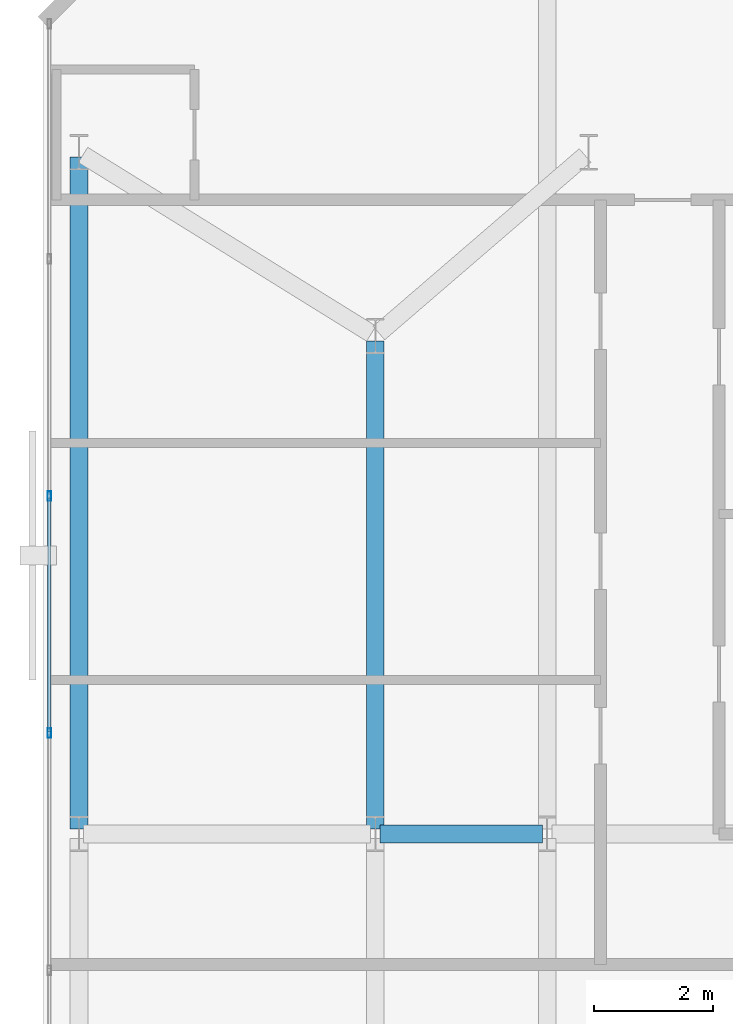
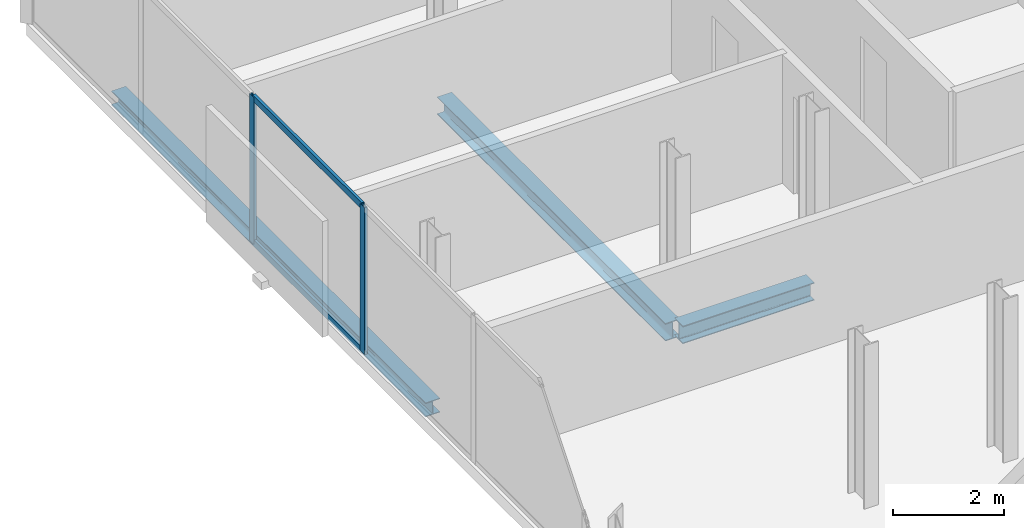
# One storey, part 11 of 32: 4 members, 3 beams, 1 element without a shape of its own.
"""IFC4 building model written with IfcOpenShell, lengths in metres."""

from ifc_helpers import new_model, si_unit, direction, frame, origin, origin_2d, place, context, subcontext, project, spatial, hollow_rectangle, i_section, extrude, material, layer, layer_set, material_profile, profile_set, type_object, element, aggregate, save


model = new_model("IFC4")

# Units and contexts
model_context = context("Model", 3, precision=1e-05, world=origin(), true_north=direction((0.0, 1.0)))
body_context = subcontext(model_context, "Body", "Model", "MODEL_VIEW")
ifc_project = project(units=[si_unit("LENGTHUNIT", "METRE"), si_unit("AREAUNIT", "SQUARE_METRE"), si_unit("VOLUMEUNIT", "CUBIC_METRE"), si_unit("PLANEANGLEUNIT", "RADIAN"), si_unit("MASSUNIT", "GRAM", prefix="KILO")], contexts=[model_context])

# Site, building, storey
site_placement = place(None, origin())
site = spatial("IfcSite", under=ifc_project, at=site_placement, CompositionType="ELEMENT")
building_placement = place(site_placement, origin())
building = spatial("IfcBuilding", under=site, at=building_placement, Name="Catumbela Crestline Tower", CompositionType="ELEMENT")
storey_placement = place(building_placement, frame((0.0, 0.0, 140.4)))
storey = spatial("IfcBuildingStorey", under=building, at=storey_placement, Name="L36", CompositionType="ELEMENT", Elevation=140.4)

# Beams
ifc_material_1 = material(Name="Structural steel S355J2", Category="steel")
ifc_material_profile_1 = material_profile(ifc_material_1, i_section(OverallWidth=0.3, OverallDepth=0.39, WebThickness=0.011, FlangeThickness=0.019, FilletRadius=0.027, at=origin_2d()), Name="HEA 400")
ifc_profile_set_1 = profile_set([ifc_material_profile_1], Name="Structural steel S355J2")
beam_type_1 = type_object("IfcBeamType", Name="BG-HEA400", PredefinedType="BEAM", material=ifc_profile_set_1)
beam_1_placement = place(storey_placement, frame((5.68, 30.8, -0.455), z_axis=(1.0, 0.0, 0.0), x_axis=(0.0, 1.0, 0.0)))
element("IfcBeam", 1, at=beam_1_placement, inside=storey, type_object=beam_type_1, Name="L36 Beam BM-L36-M08", PredefinedType="BEAM", context=body_context, shape_type="SweptSolid", body=[
    extrude(i_section(OverallWidth=0.3, OverallDepth=0.39, WebThickness=0.011, FlangeThickness=0.019, FilletRadius=0.027, at=origin_2d()), origin(), (0.0, 0.0, 1.0), 2.74),
])
beam_2_placement = place(storey_placement, frame((5.6, 30.88, -0.455), z_axis=(0.0, 1.0, 0.0), x_axis=(-1.0, 0.0, 0.0)))
element("IfcBeam", 2, at=beam_2_placement, inside=storey, type_object=beam_type_1, Name="L36 Beam BM-L36-SN25", PredefinedType="BEAM", context=body_context, shape_type="SweptSolid", body=[
    extrude(i_section(OverallWidth=0.3, OverallDepth=0.39, WebThickness=0.011, FlangeThickness=0.019, FilletRadius=0.027, at=origin_2d()), origin(), (0.0, 0.0, 1.0), 8.24),
])

# Curtain wall, members
ifc_material_2 = material(Name="Aluminium alloy AW-6060-T66", Category="aluminium")
ifc_layer = layer(ifc_material_2, 0.18, Name="Aluminium alloy AW-6060-T66")
ifc_layer_set = layer_set([ifc_layer], Name="Aluminium alloy AW-6060-T66")
curtain_wall_type = type_object("IfcCurtainWallType", Name="CWU-Z2", PredefinedType="USERDEFINED", material=ifc_layer_set)
curtain_wall_placement = place(storey_placement, origin())
curtain_wall = element("IfcCurtainWall", 3, at=curtain_wall_placement, inside=storey, type_object=curtain_wall_type, Name="L36 Unitised Curtain Wall CW-L36-E9S1", ObjectType="UNITISED", PredefinedType="USERDEFINED")
ifc_material_profile_2 = material_profile(ifc_material_2, hollow_rectangle(XDim=0.06, YDim=0.16, WallThickness=0.004, at=origin_2d()), Name="ALU 160x60x4")
ifc_profile_set_2 = profile_set([ifc_material_profile_2], Name="Aluminium alloy AW-6060-T66")
member_type_1 = type_object("IfcMemberType", Name="MUL-160X60", PredefinedType="MULLION", material=ifc_profile_set_2)
member_1_placement = place(storey_placement, frame((0.1, 36.5, 0.0), z_axis=(0.0, 0.0, 1.0), x_axis=(1.0, 0.0, 0.0)))
member_1 = element("IfcMember", 4, at=member_1_placement, type_object=member_type_1, Name="CWU-Z2 mullion 3", PredefinedType="MULLION", context=body_context, shape_type="SweptSolid", body=[
    extrude(hollow_rectangle(XDim=0.06, YDim=0.16, WallThickness=0.004, at=origin_2d()), origin(), (0.0, 0.0, 1.0), 3.24),
])
member_2_placement = place(storey_placement, frame((0.1, 32.5, 0.0), z_axis=(0.0, 0.0, 1.0), x_axis=(1.0, 0.0, 0.0)))
member_2 = element("IfcMember", 5, at=member_2_placement, type_object=member_type_1, Name="CWU-Z2 mullion 4", PredefinedType="MULLION", context=body_context, shape_type="SweptSolid", body=[
    extrude(hollow_rectangle(XDim=0.06, YDim=0.16, WallThickness=0.004, at=origin_2d()), origin(), (0.0, 0.0, 1.0), 3.24),
])

# Beam
ifc_material_profile_3 = material_profile(ifc_material_1, i_section(OverallWidth=0.3, OverallDepth=0.31, WebThickness=0.009, FlangeThickness=0.0155, FilletRadius=0.027, at=origin_2d()), Name="HEA 320")
ifc_profile_set_3 = profile_set([ifc_material_profile_3], Name="Structural steel S355J2")
beam_type_2 = type_object("IfcBeamType", Name="BS-HEA320", PredefinedType="SPANDREL", material=ifc_profile_set_3)
beam_3_placement = place(storey_placement, frame((0.6, 30.88, -0.415), z_axis=(0.0, 1.0, 0.0), x_axis=(-1.0, 0.0, 0.0)))
element("IfcBeam", 6, at=beam_3_placement, inside=storey, type_object=beam_type_2, Name="L36 Spandrel SP-L36-SN23", PredefinedType="SPANDREL", context=body_context, shape_type="SweptSolid", body=[
    extrude(i_section(OverallWidth=0.3, OverallDepth=0.31, WebThickness=0.009, FlangeThickness=0.0155, FilletRadius=0.027, at=origin_2d()), origin(), (0.0, 0.0, 1.0), 11.34),
])

# Member
ifc_material_profile_4 = material_profile(ifc_material_2, hollow_rectangle(XDim=0.06, YDim=0.14, WallThickness=0.004, at=origin_2d()), Name="ALU 140x60x4")
ifc_profile_set_4 = profile_set([ifc_material_profile_4], Name="Aluminium alloy AW-6060-T66")
member_type_2 = type_object("IfcMemberType", Name="TRN-140X60", PredefinedType="USERDEFINED", material=ifc_profile_set_4)
member_3_placement = place(storey_placement, frame((0.1, 36.4675, 0.03), z_axis=(0.0, -1.0, 0.0), x_axis=(1.0, 0.0, 0.0)))
member_3 = element("IfcMember", 7, at=member_3_placement, type_object=member_type_2, Name="CWU-Z2 transom 3.1", ObjectType="TRANSOM", PredefinedType="USERDEFINED", context=body_context, shape_type="SweptSolid", body=[
    extrude(hollow_rectangle(XDim=0.06, YDim=0.14, WallThickness=0.004, at=origin_2d()), origin(), (0.0, 0.0, 1.0), 3.935),
])

member_4_placement = place(storey_placement, frame((0.1, 36.4675, 3.21), z_axis=(0.0, -1.0, 0.0), x_axis=(1.0, 0.0, 0.0)))
member_4 = element("IfcMember", 8, at=member_4_placement, type_object=member_type_2, Name="CWU-Z2 transom 3.2", ObjectType="TRANSOM", PredefinedType="USERDEFINED", context=body_context, shape_type="SweptSolid", body=[
    extrude(hollow_rectangle(XDim=0.06, YDim=0.14, WallThickness=0.004, at=origin_2d()), origin(), (0.0, 0.0, 1.0), 3.935),
])

aggregate(curtain_wall, [member_1, member_2, member_3, member_4])

save(model, "model.ifc")
